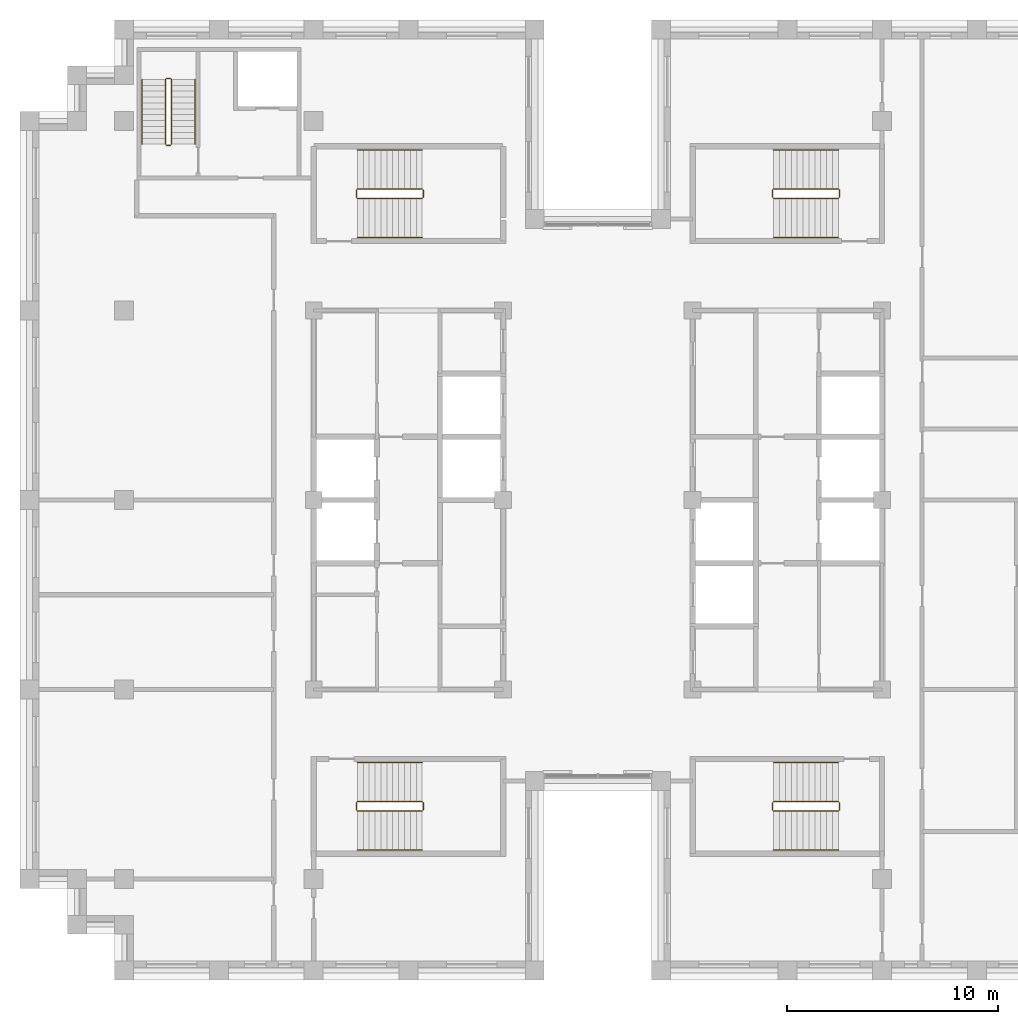
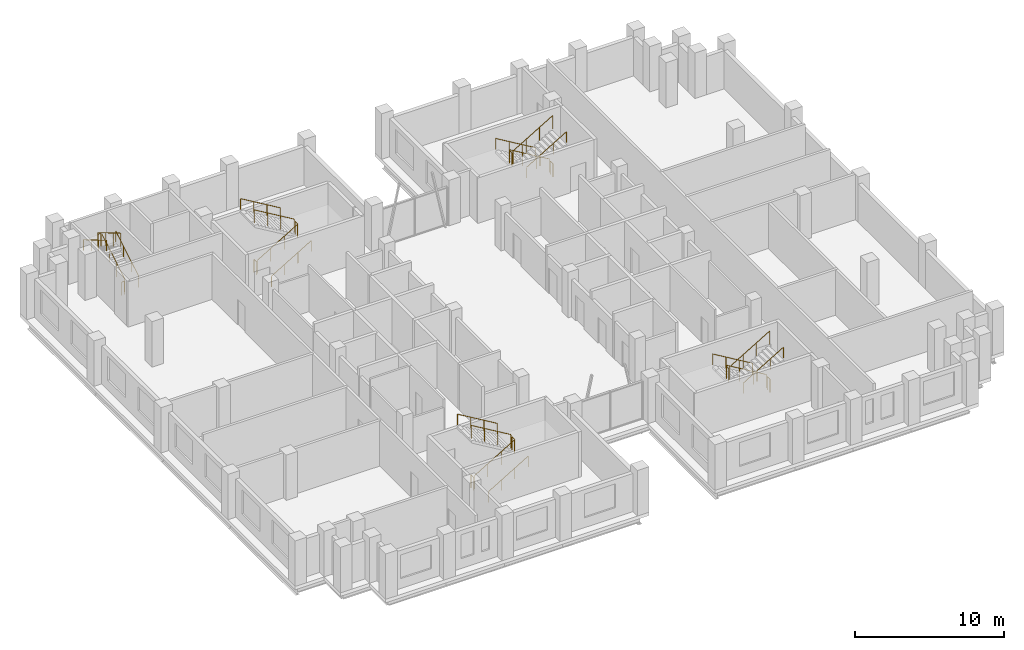
# One storey, part 13 of 13: 5 railings.
"""IFC4 building model written with IfcOpenShell, lengths in metres."""

from ifc_helpers import new_model, si_unit, direction, frame, origin, origin_2d, place, context, subcontext, project, spatial, circle, extrude, material, type_object, element, save


model = new_model("IFC4")

# Units and contexts
model_context = context("Model", 3, precision=1e-05, world=origin(), true_north=direction((0.0, 1.0)))
body_context = subcontext(model_context, "Body", "Model", "MODEL_VIEW")
ifc_project = project(units=[si_unit("LENGTHUNIT", "METRE"), si_unit("AREAUNIT", "SQUARE_METRE"), si_unit("VOLUMEUNIT", "CUBIC_METRE"), si_unit("PLANEANGLEUNIT", "RADIAN"), si_unit("MASSUNIT", "GRAM", prefix="KILO")], contexts=[model_context])

# Site, building, storey
site_placement = place(None, origin())
site = spatial("IfcSite", under=ifc_project, at=site_placement, CompositionType="ELEMENT")
building_placement = place(site_placement, origin())
building = spatial("IfcBuilding", under=site, at=building_placement, Name="Corbelhall Arena Tower", CompositionType="ELEMENT")
storey_placement = place(building_placement, frame((0.0, 0.0, 286.0)))
storey = spatial("IfcBuildingStorey", under=building, at=storey_placement, Name="L62", CompositionType="ELEMENT", Elevation=286.0)

# Railings
ifc_material = material(Name="Steel ASTM A500 Gr C", Category="steel")
railing_type = type_object("IfcRailingType", Name="IN-GD-1100", PredefinedType="GUARDRAIL", material=ifc_material)
railing_1_placement = place(storey_placement, frame((-11.425048828125, 14.324951171875, 0.166748046875)))
element("IfcRailing", 1, at=railing_1_placement, inside=storey, type_object=railing_type, Name="L62 ST1 stair guards and handrails", PredefinedType="GUARDRAIL", context=body_context, shape_type="SweptSolid", body=[
    extrude(circle(Radius=0.02392578125, at=origin_2d()), frame((0.0, 0.0, 1.076171875), z_axis=(0.859308565015, 0.0, 0.511457515432), x_axis=(0.0, 1.0, 0.0)), (0.0, 0.0, 1.0), 3.58447265625),
    extrude(circle(Radius=0.02392578125, at=origin_2d()), frame((3.130126953125, 0.050048828125, 2.9091796875), z_axis=(0.0, 1.0, 0.0), x_axis=(-1.0, 0.0, 0.0)), (0.0, 0.0, 1.0), 0.35009765625),
    extrude(circle(Radius=0.02392578125, at=origin_2d()), frame((3.080078125, 0.449951171875, 3.076171875), z_axis=(-0.859308565015, 0.0, 0.511457515432), x_axis=(0.0, -1.0, 0.0)), (0.0, 0.0, 1.0), 3.58447265625),
    extrude(circle(Radius=0.02392578125, at=origin_2d()), frame((-0.050048828125, 0.050048828125, 0.9091796875), z_axis=(0.0, 1.0, 0.0), x_axis=(-1.0, 0.0, 0.0)), (0.0, 0.0, 1.0), 0.35009765625),
    extrude(circle(Radius=0.02392578125, at=origin_2d()), frame((0.0, -1.849853515625, 0.8759765625), z_axis=(0.859308565015, 0.0, 0.511457515432), x_axis=(0.0, 1.0, 0.0)), (0.0, 0.0, 1.0), 3.58447265625),
    extrude(circle(Radius=0.02392578125, at=origin_2d()), frame((3.080078125, 2.300048828125, 2.8759765625), z_axis=(-0.859308565015, 0.0, 0.511457515432), x_axis=(0.0, -1.0, 0.0)), (0.0, 0.0, 1.0), 3.58447265625),
    extrude(circle(Radius=0.02099609375, at=origin_2d()), origin(), (0.0, 0.0, 1.0), 1.052001953125),
    extrude(circle(Radius=0.02099609375, at=origin_2d()), frame((1.026611328125, 0.0, 0.611083984375)), (0.0, 0.0, 1.0), 1.052001953125),
    extrude(circle(Radius=0.02099609375, at=origin_2d()), frame((2.053466796875, 0.0, 1.22216796875)), (0.0, 0.0, 1.0), 1.052001953125),
    extrude(circle(Radius=0.02099609375, at=origin_2d()), frame((3.080078125, 0.0, 1.833251953125)), (0.0, 0.0, 1.0), 1.052001953125),
    extrude(circle(Radius=0.02099609375, at=origin_2d()), frame((3.130126953125, 0.050048828125, 1.833251953125)), (0.0, 0.0, 1.0), 1.052001953125),
    extrude(circle(Radius=0.02099609375, at=origin_2d()), frame((3.130126953125, 0.400146484375, 1.833251953125)), (0.0, 0.0, 1.0), 1.052001953125),
    extrude(circle(Radius=0.02099609375, at=origin_2d()), frame((3.080078125, 0.449951171875, 2.0)), (0.0, 0.0, 1.0), 1.052001953125),
    extrude(circle(Radius=0.02099609375, at=origin_2d()), frame((2.053466796875, 0.449951171875, 2.611083984375)), (0.0, 0.0, 1.0), 1.052001953125),
    extrude(circle(Radius=0.02099609375, at=origin_2d()), frame((1.026611328125, 0.449951171875, 3.22216796875)), (0.0, 0.0, 1.0), 1.052001953125),
    extrude(circle(Radius=0.02099609375, at=origin_2d()), frame((0.0, 0.449951171875, 3.833251953125)), (0.0, 0.0, 1.0), 1.052001953125),
    extrude(circle(Radius=0.02099609375, at=origin_2d()), frame((-0.050048828125, 0.050048828125, -0.166748046875)), (0.0, 0.0, 1.0), 1.052001953125),
    extrude(circle(Radius=0.02099609375, at=origin_2d()), frame((-0.050048828125, 0.400146484375, -0.166748046875)), (0.0, 0.0, 1.0), 1.052001953125),
    extrude(circle(Radius=0.02099609375, at=origin_2d()), frame((0.0, -1.849853515625, 0.0)), (0.0, 0.0, 1.0), 0.851806640625),
    extrude(circle(Radius=0.02099609375, at=origin_2d()), frame((1.026611328125, -1.849853515625, 0.611083984375)), (0.0, 0.0, 1.0), 0.851806640625),
    extrude(circle(Radius=0.02099609375, at=origin_2d()), frame((2.053466796875, -1.849853515625, 1.22216796875)), (0.0, 0.0, 1.0), 0.851806640625),
    extrude(circle(Radius=0.02099609375, at=origin_2d()), frame((3.080078125, -1.849853515625, 1.833251953125)), (0.0, 0.0, 1.0), 0.851806640625),
    extrude(circle(Radius=0.02099609375, at=origin_2d()), frame((3.080078125, 2.300048828125, 2.0)), (0.0, 0.0, 1.0), 0.851806640625),
    extrude(circle(Radius=0.02099609375, at=origin_2d()), frame((2.053466796875, 2.300048828125, 2.611083984375)), (0.0, 0.0, 1.0), 0.851806640625),
    extrude(circle(Radius=0.02099609375, at=origin_2d()), frame((1.026611328125, 2.300048828125, 3.22216796875)), (0.0, 0.0, 1.0), 0.851806640625),
    extrude(circle(Radius=0.02099609375, at=origin_2d()), frame((0.0, 2.300048828125, 3.833251953125)), (0.0, 0.0, 1.0), 0.851806640625),
])
railing_2_placement = place(storey_placement, frame((-11.425048828125, -14.77490234375, 0.166748046875)))
element("IfcRailing", 2, at=railing_2_placement, inside=storey, type_object=railing_type, Name="L62 ST2 stair guards and handrails", PredefinedType="GUARDRAIL", context=body_context, shape_type="SweptSolid", body=[
    extrude(circle(Radius=0.02392578125, at=origin_2d()), frame((0.0, 0.0, 1.076171875), z_axis=(0.859308565015, 0.0, 0.511457515432), x_axis=(0.0, 1.0, 0.0)), (0.0, 0.0, 1.0), 3.58447265625),
    extrude(circle(Radius=0.02392578125, at=origin_2d()), frame((3.130126953125, 0.0498046875, 2.9091796875), z_axis=(0.0, 1.0, 0.0), x_axis=(-1.0, 0.0, 0.0)), (0.0, 0.0, 1.0), 0.35009765625),
    extrude(circle(Radius=0.02392578125, at=origin_2d()), frame((3.080078125, 0.449951171875, 3.076171875), z_axis=(-0.859308565015, 0.0, 0.511457515432), x_axis=(0.0, -1.0, 0.0)), (0.0, 0.0, 1.0), 3.58447265625),
    extrude(circle(Radius=0.02392578125, at=origin_2d()), frame((-0.050048828125, 0.0498046875, 0.9091796875), z_axis=(0.0, 1.0, 0.0), x_axis=(-1.0, 0.0, 0.0)), (0.0, 0.0, 1.0), 0.35009765625),
    extrude(circle(Radius=0.02392578125, at=origin_2d()), frame((0.0, -1.85009765625, 0.8759765625), z_axis=(0.859308565015, 0.0, 0.511457515432), x_axis=(0.0, 1.0, 0.0)), (0.0, 0.0, 1.0), 3.58447265625),
    extrude(circle(Radius=0.02392578125, at=origin_2d()), frame((3.080078125, 2.2998046875, 2.8759765625), z_axis=(-0.859308565015, 0.0, 0.511457515432), x_axis=(0.0, -1.0, 0.0)), (0.0, 0.0, 1.0), 3.58447265625),
    extrude(circle(Radius=0.02099609375, at=origin_2d()), origin(), (0.0, 0.0, 1.0), 1.052001953125),
    extrude(circle(Radius=0.02099609375, at=origin_2d()), frame((1.026611328125, 0.0, 0.611083984375)), (0.0, 0.0, 1.0), 1.052001953125),
    extrude(circle(Radius=0.02099609375, at=origin_2d()), frame((2.053466796875, 0.0, 1.22216796875)), (0.0, 0.0, 1.0), 1.052001953125),
    extrude(circle(Radius=0.02099609375, at=origin_2d()), frame((3.080078125, 0.0, 1.833251953125)), (0.0, 0.0, 1.0), 1.052001953125),
    extrude(circle(Radius=0.02099609375, at=origin_2d()), frame((3.130126953125, 0.0498046875, 1.833251953125)), (0.0, 0.0, 1.0), 1.052001953125),
    extrude(circle(Radius=0.02099609375, at=origin_2d()), frame((3.130126953125, 0.39990234375, 1.833251953125)), (0.0, 0.0, 1.0), 1.052001953125),
    extrude(circle(Radius=0.02099609375, at=origin_2d()), frame((3.080078125, 0.449951171875, 2.0)), (0.0, 0.0, 1.0), 1.052001953125),
    extrude(circle(Radius=0.02099609375, at=origin_2d()), frame((2.053466796875, 0.449951171875, 2.611083984375)), (0.0, 0.0, 1.0), 1.052001953125),
    extrude(circle(Radius=0.02099609375, at=origin_2d()), frame((1.026611328125, 0.449951171875, 3.22216796875)), (0.0, 0.0, 1.0), 1.052001953125),
    extrude(circle(Radius=0.02099609375, at=origin_2d()), frame((0.0, 0.449951171875, 3.833251953125)), (0.0, 0.0, 1.0), 1.052001953125),
    extrude(circle(Radius=0.02099609375, at=origin_2d()), frame((-0.050048828125, 0.0498046875, -0.166748046875)), (0.0, 0.0, 1.0), 1.052001953125),
    extrude(circle(Radius=0.02099609375, at=origin_2d()), frame((-0.050048828125, 0.39990234375, -0.166748046875)), (0.0, 0.0, 1.0), 1.052001953125),
    extrude(circle(Radius=0.02099609375, at=origin_2d()), frame((0.0, -1.85009765625, 0.0)), (0.0, 0.0, 1.0), 0.851806640625),
    extrude(circle(Radius=0.02099609375, at=origin_2d()), frame((1.026611328125, -1.85009765625, 0.611083984375)), (0.0, 0.0, 1.0), 0.851806640625),
    extrude(circle(Radius=0.02099609375, at=origin_2d()), frame((2.053466796875, -1.85009765625, 1.22216796875)), (0.0, 0.0, 1.0), 0.851806640625),
    extrude(circle(Radius=0.02099609375, at=origin_2d()), frame((3.080078125, -1.85009765625, 1.833251953125)), (0.0, 0.0, 1.0), 0.851806640625),
    extrude(circle(Radius=0.02099609375, at=origin_2d()), frame((3.080078125, 2.2998046875, 2.0)), (0.0, 0.0, 1.0), 0.851806640625),
    extrude(circle(Radius=0.02099609375, at=origin_2d()), frame((2.053466796875, 2.2998046875, 2.611083984375)), (0.0, 0.0, 1.0), 0.851806640625),
    extrude(circle(Radius=0.02099609375, at=origin_2d()), frame((1.026611328125, 2.2998046875, 3.22216796875)), (0.0, 0.0, 1.0), 0.851806640625),
    extrude(circle(Radius=0.02099609375, at=origin_2d()), frame((0.0, 2.2998046875, 3.833251953125)), (0.0, 0.0, 1.0), 0.851806640625),
])
railing_3_placement = place(storey_placement, frame((11.425048828125, 14.77490234375, 0.166748046875)))
element("IfcRailing", 3, at=railing_3_placement, inside=storey, type_object=railing_type, Name="L62 ST3 stair guards and handrails", PredefinedType="GUARDRAIL", context=body_context, shape_type="SweptSolid", body=[
    extrude(circle(Radius=0.02392578125, at=origin_2d()), frame((0.0, 0.0, 1.076171875), z_axis=(-0.859308565015, 0.0, 0.511457515432), x_axis=(0.0, -1.0, 0.0)), (0.0, 0.0, 1.0), 3.58447265625),
    extrude(circle(Radius=0.02392578125, at=origin_2d()), frame((-3.130126953125, -0.0498046875, 2.9091796875), z_axis=(0.0, -1.0, 0.0), x_axis=(1.0, 0.0, 0.0)), (0.0, 0.0, 1.0), 0.35009765625),
    extrude(circle(Radius=0.02392578125, at=origin_2d()), frame((-3.080078125, -0.449951171875, 3.076171875), z_axis=(0.859308565015, 0.0, 0.511457515432), x_axis=(0.0, 1.0, 0.0)), (0.0, 0.0, 1.0), 3.58447265625),
    extrude(circle(Radius=0.02392578125, at=origin_2d()), frame((0.050048828125, -0.0498046875, 0.9091796875), z_axis=(0.0, -1.0, 0.0), x_axis=(1.0, 0.0, 0.0)), (0.0, 0.0, 1.0), 0.35009765625),
    extrude(circle(Radius=0.02392578125, at=origin_2d()), frame((0.0, 1.85009765625, 0.8759765625), z_axis=(-0.859308565015, 0.0, 0.511457515432), x_axis=(0.0, -1.0, 0.0)), (0.0, 0.0, 1.0), 3.58447265625),
    extrude(circle(Radius=0.02392578125, at=origin_2d()), frame((-3.080078125, -2.2998046875, 2.8759765625), z_axis=(0.859308565015, 0.0, 0.511457515432), x_axis=(0.0, 1.0, 0.0)), (0.0, 0.0, 1.0), 3.58447265625),
    extrude(circle(Radius=0.02099609375, at=origin_2d()), origin(), (0.0, 0.0, 1.0), 1.052001953125),
    extrude(circle(Radius=0.02099609375, at=origin_2d()), frame((-1.026611328125, 0.0, 0.611083984375)), (0.0, 0.0, 1.0), 1.052001953125),
    extrude(circle(Radius=0.02099609375, at=origin_2d()), frame((-2.053466796875, 0.0, 1.22216796875)), (0.0, 0.0, 1.0), 1.052001953125),
    extrude(circle(Radius=0.02099609375, at=origin_2d()), frame((-3.080078125, 0.0, 1.833251953125)), (0.0, 0.0, 1.0), 1.052001953125),
    extrude(circle(Radius=0.02099609375, at=origin_2d()), frame((-3.130126953125, -0.0498046875, 1.833251953125)), (0.0, 0.0, 1.0), 1.052001953125),
    extrude(circle(Radius=0.02099609375, at=origin_2d()), frame((-3.130126953125, -0.39990234375, 1.833251953125)), (0.0, 0.0, 1.0), 1.052001953125),
    extrude(circle(Radius=0.02099609375, at=origin_2d()), frame((-3.080078125, -0.449951171875, 2.0)), (0.0, 0.0, 1.0), 1.052001953125),
    extrude(circle(Radius=0.02099609375, at=origin_2d()), frame((-2.053466796875, -0.449951171875, 2.611083984375)), (0.0, 0.0, 1.0), 1.052001953125),
    extrude(circle(Radius=0.02099609375, at=origin_2d()), frame((-1.026611328125, -0.449951171875, 3.22216796875)), (0.0, 0.0, 1.0), 1.052001953125),
    extrude(circle(Radius=0.02099609375, at=origin_2d()), frame((0.0, -0.449951171875, 3.833251953125)), (0.0, 0.0, 1.0), 1.052001953125),
    extrude(circle(Radius=0.02099609375, at=origin_2d()), frame((0.050048828125, -0.0498046875, -0.166748046875)), (0.0, 0.0, 1.0), 1.052001953125),
    extrude(circle(Radius=0.02099609375, at=origin_2d()), frame((0.050048828125, -0.39990234375, -0.166748046875)), (0.0, 0.0, 1.0), 1.052001953125),
    extrude(circle(Radius=0.02099609375, at=origin_2d()), frame((0.0, 1.85009765625, 0.0)), (0.0, 0.0, 1.0), 0.851806640625),
    extrude(circle(Radius=0.02099609375, at=origin_2d()), frame((-1.026611328125, 1.85009765625, 0.611083984375)), (0.0, 0.0, 1.0), 0.851806640625),
    extrude(circle(Radius=0.02099609375, at=origin_2d()), frame((-2.053466796875, 1.85009765625, 1.22216796875)), (0.0, 0.0, 1.0), 0.851806640625),
    extrude(circle(Radius=0.02099609375, at=origin_2d()), frame((-3.080078125, 1.85009765625, 1.833251953125)), (0.0, 0.0, 1.0), 0.851806640625),
    extrude(circle(Radius=0.02099609375, at=origin_2d()), frame((-3.080078125, -2.2998046875, 2.0)), (0.0, 0.0, 1.0), 0.851806640625),
    extrude(circle(Radius=0.02099609375, at=origin_2d()), frame((-2.053466796875, -2.2998046875, 2.611083984375)), (0.0, 0.0, 1.0), 0.851806640625),
    extrude(circle(Radius=0.02099609375, at=origin_2d()), frame((-1.026611328125, -2.2998046875, 3.22216796875)), (0.0, 0.0, 1.0), 0.851806640625),
    extrude(circle(Radius=0.02099609375, at=origin_2d()), frame((0.0, -2.2998046875, 3.833251953125)), (0.0, 0.0, 1.0), 0.851806640625),
])
railing_4_placement = place(storey_placement, frame((11.425048828125, -14.324951171875, 0.166748046875)))
element("IfcRailing", 4, at=railing_4_placement, inside=storey, type_object=railing_type, Name="L62 ST4 stair guards and handrails", PredefinedType="GUARDRAIL", context=body_context, shape_type="SweptSolid", body=[
    extrude(circle(Radius=0.02392578125, at=origin_2d()), frame((0.0, 0.0, 1.076171875), z_axis=(-0.859308565015, 0.0, 0.511457515432), x_axis=(0.0, -1.0, 0.0)), (0.0, 0.0, 1.0), 3.58447265625),
    extrude(circle(Radius=0.02392578125, at=origin_2d()), frame((-3.130126953125, -0.050048828125, 2.9091796875), z_axis=(0.0, -1.0, 0.0), x_axis=(1.0, 0.0, 0.0)), (0.0, 0.0, 1.0), 0.35009765625),
    extrude(circle(Radius=0.02392578125, at=origin_2d()), frame((-3.080078125, -0.449951171875, 3.076171875), z_axis=(0.859308565015, 0.0, 0.511457515432), x_axis=(0.0, 1.0, 0.0)), (0.0, 0.0, 1.0), 3.58447265625),
    extrude(circle(Radius=0.02392578125, at=origin_2d()), frame((0.050048828125, -0.050048828125, 0.9091796875), z_axis=(0.0, -1.0, 0.0), x_axis=(1.0, 0.0, 0.0)), (0.0, 0.0, 1.0), 0.35009765625),
    extrude(circle(Radius=0.02392578125, at=origin_2d()), frame((0.0, 1.849853515625, 0.8759765625), z_axis=(-0.859308565015, 0.0, 0.511457515432), x_axis=(0.0, -1.0, 0.0)), (0.0, 0.0, 1.0), 3.58447265625),
    extrude(circle(Radius=0.02392578125, at=origin_2d()), frame((-3.080078125, -2.300048828125, 2.8759765625), z_axis=(0.859308565015, 0.0, 0.511457515432), x_axis=(0.0, 1.0, 0.0)), (0.0, 0.0, 1.0), 3.58447265625),
    extrude(circle(Radius=0.02099609375, at=origin_2d()), origin(), (0.0, 0.0, 1.0), 1.052001953125),
    extrude(circle(Radius=0.02099609375, at=origin_2d()), frame((-1.026611328125, 0.0, 0.611083984375)), (0.0, 0.0, 1.0), 1.052001953125),
    extrude(circle(Radius=0.02099609375, at=origin_2d()), frame((-2.053466796875, 0.0, 1.22216796875)), (0.0, 0.0, 1.0), 1.052001953125),
    extrude(circle(Radius=0.02099609375, at=origin_2d()), frame((-3.080078125, 0.0, 1.833251953125)), (0.0, 0.0, 1.0), 1.052001953125),
    extrude(circle(Radius=0.02099609375, at=origin_2d()), frame((-3.130126953125, -0.050048828125, 1.833251953125)), (0.0, 0.0, 1.0), 1.052001953125),
    extrude(circle(Radius=0.02099609375, at=origin_2d()), frame((-3.130126953125, -0.400146484375, 1.833251953125)), (0.0, 0.0, 1.0), 1.052001953125),
    extrude(circle(Radius=0.02099609375, at=origin_2d()), frame((-3.080078125, -0.449951171875, 2.0)), (0.0, 0.0, 1.0), 1.052001953125),
    extrude(circle(Radius=0.02099609375, at=origin_2d()), frame((-2.053466796875, -0.449951171875, 2.611083984375)), (0.0, 0.0, 1.0), 1.052001953125),
    extrude(circle(Radius=0.02099609375, at=origin_2d()), frame((-1.026611328125, -0.449951171875, 3.22216796875)), (0.0, 0.0, 1.0), 1.052001953125),
    extrude(circle(Radius=0.02099609375, at=origin_2d()), frame((0.0, -0.449951171875, 3.833251953125)), (0.0, 0.0, 1.0), 1.052001953125),
    extrude(circle(Radius=0.02099609375, at=origin_2d()), frame((0.050048828125, -0.050048828125, -0.166748046875)), (0.0, 0.0, 1.0), 1.052001953125),
    extrude(circle(Radius=0.02099609375, at=origin_2d()), frame((0.050048828125, -0.400146484375, -0.166748046875)), (0.0, 0.0, 1.0), 1.052001953125),
    extrude(circle(Radius=0.02099609375, at=origin_2d()), frame((0.0, 1.849853515625, 0.0)), (0.0, 0.0, 1.0), 0.851806640625),
    extrude(circle(Radius=0.02099609375, at=origin_2d()), frame((-1.026611328125, 1.849853515625, 0.611083984375)), (0.0, 0.0, 1.0), 0.851806640625),
    extrude(circle(Radius=0.02099609375, at=origin_2d()), frame((-2.053466796875, 1.849853515625, 1.22216796875)), (0.0, 0.0, 1.0), 0.851806640625),
    extrude(circle(Radius=0.02099609375, at=origin_2d()), frame((-3.080078125, 1.849853515625, 1.833251953125)), (0.0, 0.0, 1.0), 0.851806640625),
    extrude(circle(Radius=0.02099609375, at=origin_2d()), frame((-3.080078125, -2.300048828125, 2.0)), (0.0, 0.0, 1.0), 0.851806640625),
    extrude(circle(Radius=0.02099609375, at=origin_2d()), frame((-2.053466796875, -2.300048828125, 2.611083984375)), (0.0, 0.0, 1.0), 0.851806640625),
    extrude(circle(Radius=0.02099609375, at=origin_2d()), frame((-1.026611328125, -2.300048828125, 3.22216796875)), (0.0, 0.0, 1.0), 0.851806640625),
    extrude(circle(Radius=0.02099609375, at=origin_2d()), frame((0.0, -2.300048828125, 3.833251953125)), (0.0, 0.0, 1.0), 0.851806640625),
])
railing_5_placement = place(storey_placement, frame((-20.2451171875, 16.89990234375, 0.166748046875)))
element("IfcRailing", 5, at=railing_5_placement, inside=storey, type_object=railing_type, Name="L62 ST5 stair guards and handrails", PredefinedType="GUARDRAIL", context=body_context, shape_type="SweptSolid", body=[
    extrude(circle(Radius=0.02392578125, at=origin_2d()), frame((0.0, 0.0, 1.076171875), z_axis=(0.0, 0.859308565015, 0.511457515432), x_axis=(-1.0, 0.0, 0.0)), (0.0, 0.0, 1.0), 3.58447265625),
    extrude(circle(Radius=0.02392578125, at=origin_2d()), frame((-0.0498046875, 3.130126953125, 2.9091796875), z_axis=(-1.0, 0.0, 0.0), x_axis=(0.0, -1.0, 0.0)), (0.0, 0.0, 1.0), 0.2001953125),
    extrude(circle(Radius=0.02392578125, at=origin_2d()), frame((-0.2998046875, 3.080078125, 3.076171875), z_axis=(0.0, -0.859308565015, 0.511457515432), x_axis=(1.0, 0.0, 0.0)), (0.0, 0.0, 1.0), 3.58447265625),
    extrude(circle(Radius=0.02392578125, at=origin_2d()), frame((-0.0498046875, -0.0498046875, 0.9091796875), z_axis=(-1.0, 0.0, 0.0), x_axis=(0.0, -1.0, 0.0)), (0.0, 0.0, 1.0), 0.2001953125),
    extrude(circle(Radius=0.02392578125, at=origin_2d()), frame((1.10009765625, 0.0, 0.8759765625), z_axis=(0.0, 0.859308565015, 0.511457515432), x_axis=(-1.0, 0.0, 0.0)), (0.0, 0.0, 1.0), 3.58447265625),
    extrude(circle(Radius=0.02392578125, at=origin_2d()), frame((-1.39990234375, 3.080078125, 2.8759765625), z_axis=(0.0, -0.859308565015, 0.511457515432), x_axis=(1.0, 0.0, 0.0)), (0.0, 0.0, 1.0), 3.58447265625),
    extrude(circle(Radius=0.02099609375, at=origin_2d()), origin(), (0.0, 0.0, 1.0), 1.052001953125),
    extrude(circle(Radius=0.02099609375, at=origin_2d()), frame((0.0, 1.026611328125, 0.611083984375)), (0.0, 0.0, 1.0), 1.052001953125),
    extrude(circle(Radius=0.02099609375, at=origin_2d()), frame((0.0, 2.053466796875, 1.22216796875)), (0.0, 0.0, 1.0), 1.052001953125),
    extrude(circle(Radius=0.02099609375, at=origin_2d()), frame((0.0, 3.080078125, 1.833251953125)), (0.0, 0.0, 1.0), 1.052001953125),
    extrude(circle(Radius=0.02099609375, at=origin_2d()), frame((-0.0498046875, 3.130126953125, 1.833251953125)), (0.0, 0.0, 1.0), 1.052001953125),
    extrude(circle(Radius=0.02099609375, at=origin_2d()), frame((-0.25, 3.130126953125, 1.833251953125)), (0.0, 0.0, 1.0), 1.052001953125),
    extrude(circle(Radius=0.02099609375, at=origin_2d()), frame((-0.2998046875, 3.080078125, 2.0)), (0.0, 0.0, 1.0), 1.052001953125),
    extrude(circle(Radius=0.02099609375, at=origin_2d()), frame((-0.2998046875, 2.053466796875, 2.611083984375)), (0.0, 0.0, 1.0), 1.052001953125),
    extrude(circle(Radius=0.02099609375, at=origin_2d()), frame((-0.2998046875, 1.026611328125, 3.22216796875)), (0.0, 0.0, 1.0), 1.052001953125),
    extrude(circle(Radius=0.02099609375, at=origin_2d()), frame((-0.2998046875, 0.0, 3.833251953125)), (0.0, 0.0, 1.0), 1.052001953125),
    extrude(circle(Radius=0.02099609375, at=origin_2d()), frame((-0.0498046875, -0.0498046875, -0.166748046875)), (0.0, 0.0, 1.0), 1.052001953125),
    extrude(circle(Radius=0.02099609375, at=origin_2d()), frame((-0.25, -0.0498046875, -0.166748046875)), (0.0, 0.0, 1.0), 1.052001953125),
    extrude(circle(Radius=0.02099609375, at=origin_2d()), frame((1.10009765625, 0.0, 0.0)), (0.0, 0.0, 1.0), 0.851806640625),
    extrude(circle(Radius=0.02099609375, at=origin_2d()), frame((1.10009765625, 1.026611328125, 0.611083984375)), (0.0, 0.0, 1.0), 0.851806640625),
    extrude(circle(Radius=0.02099609375, at=origin_2d()), frame((1.10009765625, 2.053466796875, 1.22216796875)), (0.0, 0.0, 1.0), 0.851806640625),
    extrude(circle(Radius=0.02099609375, at=origin_2d()), frame((1.10009765625, 3.080078125, 1.833251953125)), (0.0, 0.0, 1.0), 0.851806640625),
    extrude(circle(Radius=0.02099609375, at=origin_2d()), frame((-1.39990234375, 3.080078125, 2.0)), (0.0, 0.0, 1.0), 0.851806640625),
    extrude(circle(Radius=0.02099609375, at=origin_2d()), frame((-1.39990234375, 2.053466796875, 2.611083984375)), (0.0, 0.0, 1.0), 0.851806640625),
    extrude(circle(Radius=0.02099609375, at=origin_2d()), frame((-1.39990234375, 1.026611328125, 3.22216796875)), (0.0, 0.0, 1.0), 0.851806640625),
    extrude(circle(Radius=0.02099609375, at=origin_2d()), frame((-1.39990234375, 0.0, 3.833251953125)), (0.0, 0.0, 1.0), 0.851806640625),
])

save(model, "model.ifc")
